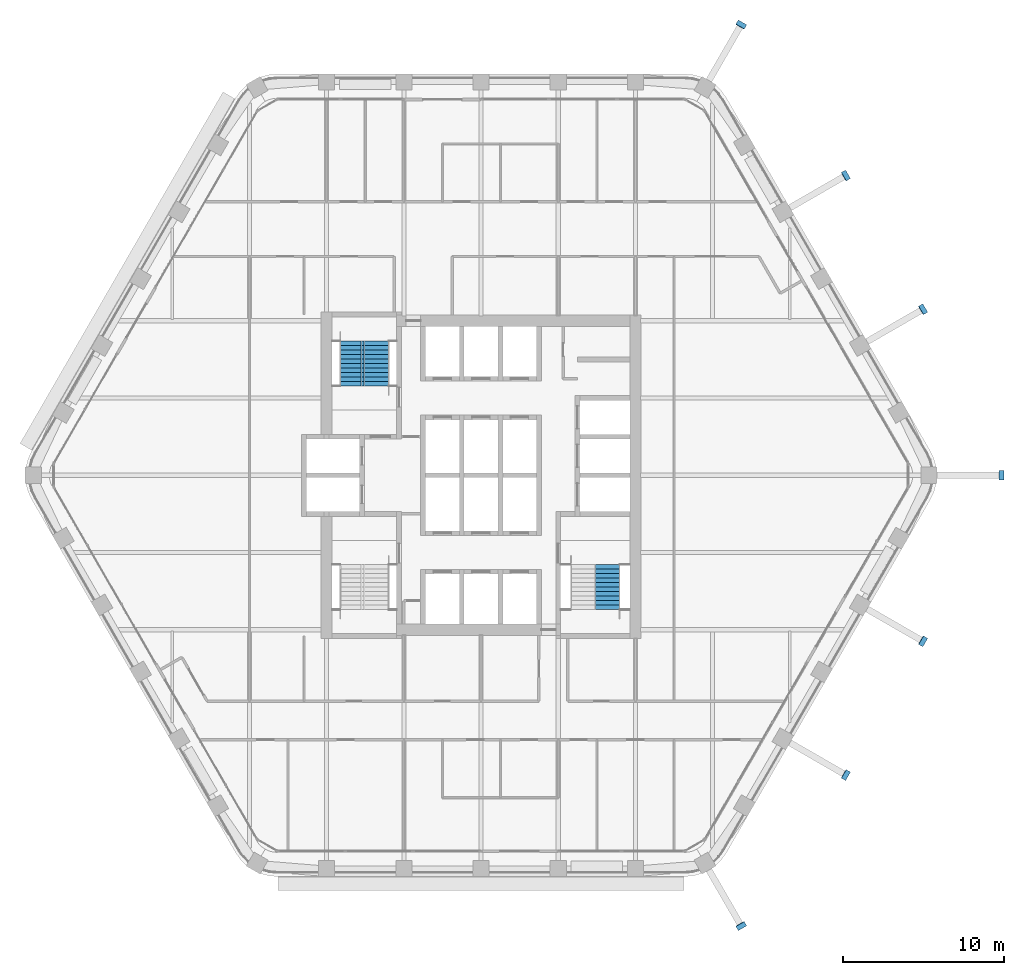
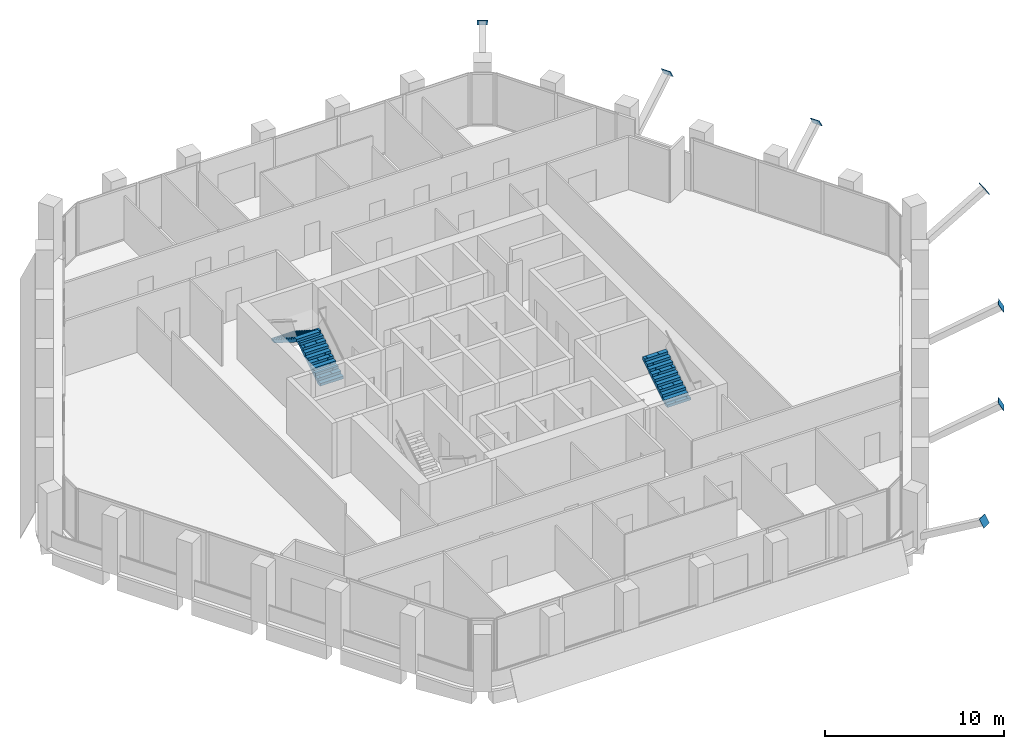
# One storey, part 14 of 16: 7 discrete accessories, 3 stair flights, 2 elements without a shape of their own.
"""IFC4 building model written with IfcOpenShell, lengths in metres."""

from ifc_helpers import new_model, si_unit, direction, frame, origin, origin_2d, place, context, subcontext, project, spatial, polyline, rectangle, outline, extrude, material, type_object, element, aggregate, save


model = new_model("IFC4")

# Units and contexts
model_context = context("Model", 3, precision=1e-05, world=origin(), true_north=direction((0.0, 1.0)))
body_context = subcontext(model_context, "Body", "Model", "MODEL_VIEW")
ifc_project = project(units=[si_unit("LENGTHUNIT", "METRE"), si_unit("AREAUNIT", "SQUARE_METRE"), si_unit("VOLUMEUNIT", "CUBIC_METRE"), si_unit("PLANEANGLEUNIT", "RADIAN"), si_unit("MASSUNIT", "GRAM", prefix="KILO")], contexts=[model_context])

# Site, building, storey
site_placement = place(None, origin())
site = spatial("IfcSite", under=ifc_project, at=site_placement, CompositionType="ELEMENT")
building_placement = place(site_placement, origin())
building = spatial("IfcBuilding", under=site, at=building_placement, Name="Kolab Exchange Tower", CompositionType="ELEMENT")
storey_placement = place(building_placement, frame((0.0, 0.0, 177.800048828125)))
storey = spatial("IfcBuildingStorey", under=building, at=storey_placement, Name="L37", CompositionType="ELEMENT", Elevation=177.800048828125)

# Stair, stair flights
ifc_material = material(Name="Concrete C50/60", Category="concrete")
stair_type_1 = type_object("IfcStairType", Name="STAIR ST1 RISER 177.3", PredefinedType="HALF_TURN_STAIR", material=ifc_material)
stair_1_placement = place(storey_placement, origin())
stair_1 = element("IfcStair", 1, at=stair_1_placement, inside=storey, type_object=stair_type_1, Name="Stair 1", PredefinedType="HALF_TURN_STAIR")
stair_flight_type = type_object("IfcStairFlightType", Name="STAIR FLIGHT 1500 RISER 177.3", PredefinedType="STRAIGHT", material=ifc_material)
stair_flight_1_placement = place(storey_placement, frame((-6.489990234375, 5.550048828125, 0.0), z_axis=(0.0, 0.0, 1.0), x_axis=(0.0, 1.0, 0.0)))
stair_flight_1 = element("IfcStairFlight", 2, at=stair_flight_1_placement, type_object=stair_flight_type, Name="ST1 flight 1", NumberOfRisers=11, NumberOfTreads=10, PredefinedType="STRAIGHT", RiserHeight=0.177272727, TreadLength=0.28, context=body_context, shape_type="SweptSolid", body=[
    extrude(outline(polyline([(0.0, 0.0), (0.0, 0.17724609375), (0.280029296875, 0.17724609375), (0.280029296875, 0.3544921875), (0.56005859375, 0.3544921875), (0.56005859375, 0.53173828125), (0.840087890625, 0.53173828125), (0.840087890625, 0.708984375), (1.1201171875, 0.708984375), (1.1201171875, 0.886474609375), (1.39990234375, 0.886474609375), (1.39990234375, 1.063720703125), (1.679931640625, 1.063720703125), (1.679931640625, 1.240966796875), (1.9599609375, 1.240966796875), (1.9599609375, 1.418212890625), (2.239990234375, 1.418212890625), (2.239990234375, 1.595458984375), (2.52001953125, 1.595458984375), (2.52001953125, 1.772705078125), (2.800048828125, 1.772705078125), (2.800048828125, 1.949951171875), (2.800048828125, 1.59521484375), (0.2802734375, 0.0), (0.0, 0.0)])), frame((0.0, 0.75, 0.0), z_axis=(0.0, -1.0, 0.0), x_axis=(1.0, 0.0, 0.0)), (0.0, 0.0, 1.0), 0.185791015625),
    extrude(outline(polyline([(0.0, 0.0), (0.0, 0.17724609375), (0.280029296875, 0.17724609375), (0.280029296875, 0.3544921875), (0.56005859375, 0.3544921875), (0.56005859375, 0.53173828125), (0.840087890625, 0.53173828125), (0.840087890625, 0.708984375), (1.1201171875, 0.708984375), (1.1201171875, 0.886474609375), (1.39990234375, 0.886474609375), (1.39990234375, 1.063720703125), (1.679931640625, 1.063720703125), (1.679931640625, 1.240966796875), (1.9599609375, 1.240966796875), (1.9599609375, 1.418212890625), (2.239990234375, 1.418212890625), (2.239990234375, 1.595458984375), (2.52001953125, 1.595458984375), (2.52001953125, 1.772705078125), (2.800048828125, 1.772705078125), (2.800048828125, 1.949951171875), (2.800048828125, 1.59521484375), (0.2802734375, 0.0), (0.0, 0.0)])), frame((0.0, 0.562255859375, 0.0), z_axis=(0.0, -1.0, 0.0), x_axis=(1.0, 0.0, 0.0)), (0.0, 0.0, 1.0), 0.185791015625),
    extrude(outline(polyline([(0.0, 0.0), (0.0, 0.17724609375), (0.280029296875, 0.17724609375), (0.280029296875, 0.3544921875), (0.56005859375, 0.3544921875), (0.56005859375, 0.53173828125), (0.840087890625, 0.53173828125), (0.840087890625, 0.708984375), (1.1201171875, 0.708984375), (1.1201171875, 0.886474609375), (1.39990234375, 0.886474609375), (1.39990234375, 1.063720703125), (1.679931640625, 1.063720703125), (1.679931640625, 1.240966796875), (1.9599609375, 1.240966796875), (1.9599609375, 1.418212890625), (2.239990234375, 1.418212890625), (2.239990234375, 1.595458984375), (2.52001953125, 1.595458984375), (2.52001953125, 1.772705078125), (2.800048828125, 1.772705078125), (2.800048828125, 1.949951171875), (2.800048828125, 1.59521484375), (0.2802734375, 0.0), (0.0, 0.0)])), frame((0.0, 0.37451171875, 0.0), z_axis=(0.0, -1.0, 0.0), x_axis=(1.0, 0.0, 0.0)), (0.0, 0.0, 1.0), 0.185791015625),
    extrude(outline(polyline([(0.0, 0.0), (0.0, 0.17724609375), (0.280029296875, 0.17724609375), (0.280029296875, 0.3544921875), (0.56005859375, 0.3544921875), (0.56005859375, 0.53173828125), (0.840087890625, 0.53173828125), (0.840087890625, 0.708984375), (1.1201171875, 0.708984375), (1.1201171875, 0.886474609375), (1.39990234375, 0.886474609375), (1.39990234375, 1.063720703125), (1.679931640625, 1.063720703125), (1.679931640625, 1.240966796875), (1.9599609375, 1.240966796875), (1.9599609375, 1.418212890625), (2.239990234375, 1.418212890625), (2.239990234375, 1.595458984375), (2.52001953125, 1.595458984375), (2.52001953125, 1.772705078125), (2.800048828125, 1.772705078125), (2.800048828125, 1.949951171875), (2.800048828125, 1.59521484375), (0.2802734375, 0.0), (0.0, 0.0)])), frame((0.0, 0.186767578125, 0.0), z_axis=(0.0, -1.0, 0.0), x_axis=(1.0, 0.0, 0.0)), (0.0, 0.0, 1.0), 0.185791015625),
    extrude(outline(polyline([(0.0, 0.0), (0.0, 0.17724609375), (0.280029296875, 0.17724609375), (0.280029296875, 0.3544921875), (0.56005859375, 0.3544921875), (0.56005859375, 0.53173828125), (0.840087890625, 0.53173828125), (0.840087890625, 0.708984375), (1.1201171875, 0.708984375), (1.1201171875, 0.886474609375), (1.39990234375, 0.886474609375), (1.39990234375, 1.063720703125), (1.679931640625, 1.063720703125), (1.679931640625, 1.240966796875), (1.9599609375, 1.240966796875), (1.9599609375, 1.418212890625), (2.239990234375, 1.418212890625), (2.239990234375, 1.595458984375), (2.52001953125, 1.595458984375), (2.52001953125, 1.772705078125), (2.800048828125, 1.772705078125), (2.800048828125, 1.949951171875), (2.800048828125, 1.59521484375), (0.2802734375, 0.0), (0.0, 0.0)])), frame((0.0, -0.0009765625, 0.0), z_axis=(0.0, -1.0, 0.0), x_axis=(1.0, 0.0, 0.0)), (0.0, 0.0, 1.0), 0.185791015625),
    extrude(outline(polyline([(0.0, 0.0), (0.0, 0.17724609375), (0.280029296875, 0.17724609375), (0.280029296875, 0.3544921875), (0.56005859375, 0.3544921875), (0.56005859375, 0.53173828125), (0.840087890625, 0.53173828125), (0.840087890625, 0.708984375), (1.1201171875, 0.708984375), (1.1201171875, 0.886474609375), (1.39990234375, 0.886474609375), (1.39990234375, 1.063720703125), (1.679931640625, 1.063720703125), (1.679931640625, 1.240966796875), (1.9599609375, 1.240966796875), (1.9599609375, 1.418212890625), (2.239990234375, 1.418212890625), (2.239990234375, 1.595458984375), (2.52001953125, 1.595458984375), (2.52001953125, 1.772705078125), (2.800048828125, 1.772705078125), (2.800048828125, 1.949951171875), (2.800048828125, 1.59521484375), (0.2802734375, 0.0), (0.0, 0.0)])), frame((0.0, -0.188720703125, 0.0), z_axis=(0.0, -1.0, 0.0), x_axis=(1.0, 0.0, 0.0)), (0.0, 0.0, 1.0), 0.185791015625),
    extrude(outline(polyline([(0.0, 0.0), (0.0, 0.17724609375), (0.280029296875, 0.17724609375), (0.280029296875, 0.3544921875), (0.56005859375, 0.3544921875), (0.56005859375, 0.53173828125), (0.840087890625, 0.53173828125), (0.840087890625, 0.708984375), (1.1201171875, 0.708984375), (1.1201171875, 0.886474609375), (1.39990234375, 0.886474609375), (1.39990234375, 1.063720703125), (1.679931640625, 1.063720703125), (1.679931640625, 1.240966796875), (1.9599609375, 1.240966796875), (1.9599609375, 1.418212890625), (2.239990234375, 1.418212890625), (2.239990234375, 1.595458984375), (2.52001953125, 1.595458984375), (2.52001953125, 1.772705078125), (2.800048828125, 1.772705078125), (2.800048828125, 1.949951171875), (2.800048828125, 1.59521484375), (0.2802734375, 0.0), (0.0, 0.0)])), frame((0.0, -0.37646484375, 0.0), z_axis=(0.0, -1.0, 0.0), x_axis=(1.0, 0.0, 0.0)), (0.0, 0.0, 1.0), 0.185791015625),
    extrude(outline(polyline([(0.0, 0.0), (0.0, 0.17724609375), (0.280029296875, 0.17724609375), (0.280029296875, 0.3544921875), (0.56005859375, 0.3544921875), (0.56005859375, 0.53173828125), (0.840087890625, 0.53173828125), (0.840087890625, 0.708984375), (1.1201171875, 0.708984375), (1.1201171875, 0.886474609375), (1.39990234375, 0.886474609375), (1.39990234375, 1.063720703125), (1.679931640625, 1.063720703125), (1.679931640625, 1.240966796875), (1.9599609375, 1.240966796875), (1.9599609375, 1.418212890625), (2.239990234375, 1.418212890625), (2.239990234375, 1.595458984375), (2.52001953125, 1.595458984375), (2.52001953125, 1.772705078125), (2.800048828125, 1.772705078125), (2.800048828125, 1.949951171875), (2.800048828125, 1.59521484375), (0.2802734375, 0.0), (0.0, 0.0)])), frame((0.0, -0.564208984375, 0.0), z_axis=(0.0, -1.0, 0.0), x_axis=(1.0, 0.0, 0.0)), (0.0, 0.0, 1.0), 0.185791015625),
])
stair_flight_2_placement = place(storey_placement, frame((-8.010009765625, 8.35009765625, 1.949951171875), z_axis=(0.0, 0.0, 1.0), x_axis=(0.0, -1.0, 0.0)))
stair_flight_2 = element("IfcStairFlight", 3, at=stair_flight_2_placement, type_object=stair_flight_type, Name="ST1 flight 2", NumberOfRisers=11, NumberOfTreads=10, PredefinedType="STRAIGHT", RiserHeight=0.177272727, TreadLength=0.28, context=body_context, shape_type="SweptSolid", body=[
    extrude(outline(polyline([(0.0, 0.0), (0.0, 0.17724609375), (0.280029296875, 0.17724609375), (0.280029296875, 0.3544921875), (0.56005859375, 0.3544921875), (0.56005859375, 0.53173828125), (0.840087890625, 0.53173828125), (0.840087890625, 0.708984375), (1.1201171875, 0.708984375), (1.1201171875, 0.886474609375), (1.39990234375, 0.886474609375), (1.39990234375, 1.063720703125), (1.679931640625, 1.063720703125), (1.679931640625, 1.240966796875), (1.9599609375, 1.240966796875), (1.9599609375, 1.418212890625), (2.239990234375, 1.418212890625), (2.239990234375, 1.595458984375), (2.52001953125, 1.595458984375), (2.52001953125, 1.772705078125), (2.800048828125, 1.772705078125), (2.800048828125, 1.949951171875), (2.800048828125, 1.59521484375), (0.2802734375, 0.0), (0.0, 0.0)])), frame((0.0, 0.75, 0.0), z_axis=(0.0, -1.0, 0.0), x_axis=(1.0, 0.0, 0.0)), (0.0, 0.0, 1.0), 0.185791015625),
    extrude(outline(polyline([(0.0, 0.0), (0.0, 0.17724609375), (0.280029296875, 0.17724609375), (0.280029296875, 0.3544921875), (0.56005859375, 0.3544921875), (0.56005859375, 0.53173828125), (0.840087890625, 0.53173828125), (0.840087890625, 0.708984375), (1.1201171875, 0.708984375), (1.1201171875, 0.886474609375), (1.39990234375, 0.886474609375), (1.39990234375, 1.063720703125), (1.679931640625, 1.063720703125), (1.679931640625, 1.240966796875), (1.9599609375, 1.240966796875), (1.9599609375, 1.418212890625), (2.239990234375, 1.418212890625), (2.239990234375, 1.595458984375), (2.52001953125, 1.595458984375), (2.52001953125, 1.772705078125), (2.800048828125, 1.772705078125), (2.800048828125, 1.949951171875), (2.800048828125, 1.59521484375), (0.2802734375, 0.0), (0.0, 0.0)])), frame((0.0, 0.562255859375, 0.0), z_axis=(0.0, -1.0, 0.0), x_axis=(1.0, 0.0, 0.0)), (0.0, 0.0, 1.0), 0.185791015625),
    extrude(outline(polyline([(0.0, 0.0), (0.0, 0.17724609375), (0.280029296875, 0.17724609375), (0.280029296875, 0.3544921875), (0.56005859375, 0.3544921875), (0.56005859375, 0.53173828125), (0.840087890625, 0.53173828125), (0.840087890625, 0.708984375), (1.1201171875, 0.708984375), (1.1201171875, 0.886474609375), (1.39990234375, 0.886474609375), (1.39990234375, 1.063720703125), (1.679931640625, 1.063720703125), (1.679931640625, 1.240966796875), (1.9599609375, 1.240966796875), (1.9599609375, 1.418212890625), (2.239990234375, 1.418212890625), (2.239990234375, 1.595458984375), (2.52001953125, 1.595458984375), (2.52001953125, 1.772705078125), (2.800048828125, 1.772705078125), (2.800048828125, 1.949951171875), (2.800048828125, 1.59521484375), (0.2802734375, 0.0), (0.0, 0.0)])), frame((0.0, 0.37451171875, 0.0), z_axis=(0.0, -1.0, 0.0), x_axis=(1.0, 0.0, 0.0)), (0.0, 0.0, 1.0), 0.185791015625),
    extrude(outline(polyline([(0.0, 0.0), (0.0, 0.17724609375), (0.280029296875, 0.17724609375), (0.280029296875, 0.3544921875), (0.56005859375, 0.3544921875), (0.56005859375, 0.53173828125), (0.840087890625, 0.53173828125), (0.840087890625, 0.708984375), (1.1201171875, 0.708984375), (1.1201171875, 0.886474609375), (1.39990234375, 0.886474609375), (1.39990234375, 1.063720703125), (1.679931640625, 1.063720703125), (1.679931640625, 1.240966796875), (1.9599609375, 1.240966796875), (1.9599609375, 1.418212890625), (2.239990234375, 1.418212890625), (2.239990234375, 1.595458984375), (2.52001953125, 1.595458984375), (2.52001953125, 1.772705078125), (2.800048828125, 1.772705078125), (2.800048828125, 1.949951171875), (2.800048828125, 1.59521484375), (0.2802734375, 0.0), (0.0, 0.0)])), frame((0.0, 0.186767578125, 0.0), z_axis=(0.0, -1.0, 0.0), x_axis=(1.0, 0.0, 0.0)), (0.0, 0.0, 1.0), 0.185791015625),
    extrude(outline(polyline([(0.0, 0.0), (0.0, 0.17724609375), (0.280029296875, 0.17724609375), (0.280029296875, 0.3544921875), (0.56005859375, 0.3544921875), (0.56005859375, 0.53173828125), (0.840087890625, 0.53173828125), (0.840087890625, 0.708984375), (1.1201171875, 0.708984375), (1.1201171875, 0.886474609375), (1.39990234375, 0.886474609375), (1.39990234375, 1.063720703125), (1.679931640625, 1.063720703125), (1.679931640625, 1.240966796875), (1.9599609375, 1.240966796875), (1.9599609375, 1.418212890625), (2.239990234375, 1.418212890625), (2.239990234375, 1.595458984375), (2.52001953125, 1.595458984375), (2.52001953125, 1.772705078125), (2.800048828125, 1.772705078125), (2.800048828125, 1.949951171875), (2.800048828125, 1.59521484375), (0.2802734375, 0.0), (0.0, 0.0)])), frame((0.0, -0.0009765625, 0.0), z_axis=(0.0, -1.0, 0.0), x_axis=(1.0, 0.0, 0.0)), (0.0, 0.0, 1.0), 0.185791015625),
    extrude(outline(polyline([(0.0, 0.0), (0.0, 0.17724609375), (0.280029296875, 0.17724609375), (0.280029296875, 0.3544921875), (0.56005859375, 0.3544921875), (0.56005859375, 0.53173828125), (0.840087890625, 0.53173828125), (0.840087890625, 0.708984375), (1.1201171875, 0.708984375), (1.1201171875, 0.886474609375), (1.39990234375, 0.886474609375), (1.39990234375, 1.063720703125), (1.679931640625, 1.063720703125), (1.679931640625, 1.240966796875), (1.9599609375, 1.240966796875), (1.9599609375, 1.418212890625), (2.239990234375, 1.418212890625), (2.239990234375, 1.595458984375), (2.52001953125, 1.595458984375), (2.52001953125, 1.772705078125), (2.800048828125, 1.772705078125), (2.800048828125, 1.949951171875), (2.800048828125, 1.59521484375), (0.2802734375, 0.0), (0.0, 0.0)])), frame((0.0, -0.188720703125, 0.0), z_axis=(0.0, -1.0, 0.0), x_axis=(1.0, 0.0, 0.0)), (0.0, 0.0, 1.0), 0.185791015625),
    extrude(outline(polyline([(0.0, 0.0), (0.0, 0.17724609375), (0.280029296875, 0.17724609375), (0.280029296875, 0.3544921875), (0.56005859375, 0.3544921875), (0.56005859375, 0.53173828125), (0.840087890625, 0.53173828125), (0.840087890625, 0.708984375), (1.1201171875, 0.708984375), (1.1201171875, 0.886474609375), (1.39990234375, 0.886474609375), (1.39990234375, 1.063720703125), (1.679931640625, 1.063720703125), (1.679931640625, 1.240966796875), (1.9599609375, 1.240966796875), (1.9599609375, 1.418212890625), (2.239990234375, 1.418212890625), (2.239990234375, 1.595458984375), (2.52001953125, 1.595458984375), (2.52001953125, 1.772705078125), (2.800048828125, 1.772705078125), (2.800048828125, 1.949951171875), (2.800048828125, 1.59521484375), (0.2802734375, 0.0), (0.0, 0.0)])), frame((0.0, -0.37646484375, 0.0), z_axis=(0.0, -1.0, 0.0), x_axis=(1.0, 0.0, 0.0)), (0.0, 0.0, 1.0), 0.185791015625),
    extrude(outline(polyline([(0.0, 0.0), (0.0, 0.17724609375), (0.280029296875, 0.17724609375), (0.280029296875, 0.3544921875), (0.56005859375, 0.3544921875), (0.56005859375, 0.53173828125), (0.840087890625, 0.53173828125), (0.840087890625, 0.708984375), (1.1201171875, 0.708984375), (1.1201171875, 0.886474609375), (1.39990234375, 0.886474609375), (1.39990234375, 1.063720703125), (1.679931640625, 1.063720703125), (1.679931640625, 1.240966796875), (1.9599609375, 1.240966796875), (1.9599609375, 1.418212890625), (2.239990234375, 1.418212890625), (2.239990234375, 1.595458984375), (2.52001953125, 1.595458984375), (2.52001953125, 1.772705078125), (2.800048828125, 1.772705078125), (2.800048828125, 1.949951171875), (2.800048828125, 1.59521484375), (0.2802734375, 0.0), (0.0, 0.0)])), frame((0.0, -0.564208984375, 0.0), z_axis=(0.0, -1.0, 0.0), x_axis=(1.0, 0.0, 0.0)), (0.0, 0.0, 1.0), 0.185791015625),
])
aggregate(stair_1, [stair_flight_1, stair_flight_2])

# Stair, stair flight
stair_type_2 = type_object("IfcStairType", Name="STAIR ST2 RISER 177.3", PredefinedType="HALF_TURN_STAIR", material=ifc_material)
stair_2_placement = place(storey_placement, origin())
stair_2 = element("IfcStair", 4, at=stair_2_placement, inside=storey, type_object=stair_type_2, Name="Stair 2", PredefinedType="HALF_TURN_STAIR")
stair_flight_3_placement = place(storey_placement, frame((7.860107421875, -8.35009765625, 1.949951171875), z_axis=(0.0, 0.0, 1.0), x_axis=(0.0, 1.0, 0.0)))
stair_flight_3 = element("IfcStairFlight", 5, at=stair_flight_3_placement, type_object=stair_flight_type, Name="ST2 flight 2", NumberOfRisers=11, NumberOfTreads=10, PredefinedType="STRAIGHT", RiserHeight=0.177272727, TreadLength=0.28, context=body_context, shape_type="SweptSolid", body=[
    extrude(outline(polyline([(0.0, 0.0), (0.0, 0.17724609375), (0.280029296875, 0.17724609375), (0.280029296875, 0.3544921875), (0.56005859375, 0.3544921875), (0.56005859375, 0.53173828125), (0.840087890625, 0.53173828125), (0.840087890625, 0.708984375), (1.1201171875, 0.708984375), (1.1201171875, 0.886474609375), (1.39990234375, 0.886474609375), (1.39990234375, 1.063720703125), (1.679931640625, 1.063720703125), (1.679931640625, 1.240966796875), (1.9599609375, 1.240966796875), (1.9599609375, 1.418212890625), (2.239990234375, 1.418212890625), (2.239990234375, 1.595458984375), (2.52001953125, 1.595458984375), (2.52001953125, 1.772705078125), (2.800048828125, 1.772705078125), (2.800048828125, 1.949951171875), (2.800048828125, 1.59521484375), (0.2802734375, 0.0), (0.0, 0.0)])), frame((0.0, 0.75, 0.0), z_axis=(0.0, -1.0, 0.0), x_axis=(1.0, 0.0, 0.0)), (0.0, 0.0, 1.0), 0.185791015625),
    extrude(outline(polyline([(0.0, 0.0), (0.0, 0.17724609375), (0.280029296875, 0.17724609375), (0.280029296875, 0.3544921875), (0.56005859375, 0.3544921875), (0.56005859375, 0.53173828125), (0.840087890625, 0.53173828125), (0.840087890625, 0.708984375), (1.1201171875, 0.708984375), (1.1201171875, 0.886474609375), (1.39990234375, 0.886474609375), (1.39990234375, 1.063720703125), (1.679931640625, 1.063720703125), (1.679931640625, 1.240966796875), (1.9599609375, 1.240966796875), (1.9599609375, 1.418212890625), (2.239990234375, 1.418212890625), (2.239990234375, 1.595458984375), (2.52001953125, 1.595458984375), (2.52001953125, 1.772705078125), (2.800048828125, 1.772705078125), (2.800048828125, 1.949951171875), (2.800048828125, 1.59521484375), (0.2802734375, 0.0), (0.0, 0.0)])), frame((0.0, 0.562255859375, 0.0), z_axis=(0.0, -1.0, 0.0), x_axis=(1.0, 0.0, 0.0)), (0.0, 0.0, 1.0), 0.185791015625),
    extrude(outline(polyline([(0.0, 0.0), (0.0, 0.17724609375), (0.280029296875, 0.17724609375), (0.280029296875, 0.3544921875), (0.56005859375, 0.3544921875), (0.56005859375, 0.53173828125), (0.840087890625, 0.53173828125), (0.840087890625, 0.708984375), (1.1201171875, 0.708984375), (1.1201171875, 0.886474609375), (1.39990234375, 0.886474609375), (1.39990234375, 1.063720703125), (1.679931640625, 1.063720703125), (1.679931640625, 1.240966796875), (1.9599609375, 1.240966796875), (1.9599609375, 1.418212890625), (2.239990234375, 1.418212890625), (2.239990234375, 1.595458984375), (2.52001953125, 1.595458984375), (2.52001953125, 1.772705078125), (2.800048828125, 1.772705078125), (2.800048828125, 1.949951171875), (2.800048828125, 1.59521484375), (0.2802734375, 0.0), (0.0, 0.0)])), frame((0.0, 0.37451171875, 0.0), z_axis=(0.0, -1.0, 0.0), x_axis=(1.0, 0.0, 0.0)), (0.0, 0.0, 1.0), 0.185791015625),
    extrude(outline(polyline([(0.0, 0.0), (0.0, 0.17724609375), (0.280029296875, 0.17724609375), (0.280029296875, 0.3544921875), (0.56005859375, 0.3544921875), (0.56005859375, 0.53173828125), (0.840087890625, 0.53173828125), (0.840087890625, 0.708984375), (1.1201171875, 0.708984375), (1.1201171875, 0.886474609375), (1.39990234375, 0.886474609375), (1.39990234375, 1.063720703125), (1.679931640625, 1.063720703125), (1.679931640625, 1.240966796875), (1.9599609375, 1.240966796875), (1.9599609375, 1.418212890625), (2.239990234375, 1.418212890625), (2.239990234375, 1.595458984375), (2.52001953125, 1.595458984375), (2.52001953125, 1.772705078125), (2.800048828125, 1.772705078125), (2.800048828125, 1.949951171875), (2.800048828125, 1.59521484375), (0.2802734375, 0.0), (0.0, 0.0)])), frame((0.0, 0.186767578125, 0.0), z_axis=(0.0, -1.0, 0.0), x_axis=(1.0, 0.0, 0.0)), (0.0, 0.0, 1.0), 0.185791015625),
    extrude(outline(polyline([(0.0, 0.0), (0.0, 0.17724609375), (0.280029296875, 0.17724609375), (0.280029296875, 0.3544921875), (0.56005859375, 0.3544921875), (0.56005859375, 0.53173828125), (0.840087890625, 0.53173828125), (0.840087890625, 0.708984375), (1.1201171875, 0.708984375), (1.1201171875, 0.886474609375), (1.39990234375, 0.886474609375), (1.39990234375, 1.063720703125), (1.679931640625, 1.063720703125), (1.679931640625, 1.240966796875), (1.9599609375, 1.240966796875), (1.9599609375, 1.418212890625), (2.239990234375, 1.418212890625), (2.239990234375, 1.595458984375), (2.52001953125, 1.595458984375), (2.52001953125, 1.772705078125), (2.800048828125, 1.772705078125), (2.800048828125, 1.949951171875), (2.800048828125, 1.59521484375), (0.2802734375, 0.0), (0.0, 0.0)])), frame((0.0, -0.0009765625, 0.0), z_axis=(0.0, -1.0, 0.0), x_axis=(1.0, 0.0, 0.0)), (0.0, 0.0, 1.0), 0.185791015625),
    extrude(outline(polyline([(0.0, 0.0), (0.0, 0.17724609375), (0.280029296875, 0.17724609375), (0.280029296875, 0.3544921875), (0.56005859375, 0.3544921875), (0.56005859375, 0.53173828125), (0.840087890625, 0.53173828125), (0.840087890625, 0.708984375), (1.1201171875, 0.708984375), (1.1201171875, 0.886474609375), (1.39990234375, 0.886474609375), (1.39990234375, 1.063720703125), (1.679931640625, 1.063720703125), (1.679931640625, 1.240966796875), (1.9599609375, 1.240966796875), (1.9599609375, 1.418212890625), (2.239990234375, 1.418212890625), (2.239990234375, 1.595458984375), (2.52001953125, 1.595458984375), (2.52001953125, 1.772705078125), (2.800048828125, 1.772705078125), (2.800048828125, 1.949951171875), (2.800048828125, 1.59521484375), (0.2802734375, 0.0), (0.0, 0.0)])), frame((0.0, -0.188720703125, 0.0), z_axis=(0.0, -1.0, 0.0), x_axis=(1.0, 0.0, 0.0)), (0.0, 0.0, 1.0), 0.185791015625),
    extrude(outline(polyline([(0.0, 0.0), (0.0, 0.17724609375), (0.280029296875, 0.17724609375), (0.280029296875, 0.3544921875), (0.56005859375, 0.3544921875), (0.56005859375, 0.53173828125), (0.840087890625, 0.53173828125), (0.840087890625, 0.708984375), (1.1201171875, 0.708984375), (1.1201171875, 0.886474609375), (1.39990234375, 0.886474609375), (1.39990234375, 1.063720703125), (1.679931640625, 1.063720703125), (1.679931640625, 1.240966796875), (1.9599609375, 1.240966796875), (1.9599609375, 1.418212890625), (2.239990234375, 1.418212890625), (2.239990234375, 1.595458984375), (2.52001953125, 1.595458984375), (2.52001953125, 1.772705078125), (2.800048828125, 1.772705078125), (2.800048828125, 1.949951171875), (2.800048828125, 1.59521484375), (0.2802734375, 0.0), (0.0, 0.0)])), frame((0.0, -0.37646484375, 0.0), z_axis=(0.0, -1.0, 0.0), x_axis=(1.0, 0.0, 0.0)), (0.0, 0.0, 1.0), 0.185791015625),
    extrude(outline(polyline([(0.0, 0.0), (0.0, 0.17724609375), (0.280029296875, 0.17724609375), (0.280029296875, 0.3544921875), (0.56005859375, 0.3544921875), (0.56005859375, 0.53173828125), (0.840087890625, 0.53173828125), (0.840087890625, 0.708984375), (1.1201171875, 0.708984375), (1.1201171875, 0.886474609375), (1.39990234375, 0.886474609375), (1.39990234375, 1.063720703125), (1.679931640625, 1.063720703125), (1.679931640625, 1.240966796875), (1.9599609375, 1.240966796875), (1.9599609375, 1.418212890625), (2.239990234375, 1.418212890625), (2.239990234375, 1.595458984375), (2.52001953125, 1.595458984375), (2.52001953125, 1.772705078125), (2.800048828125, 1.772705078125), (2.800048828125, 1.949951171875), (2.800048828125, 1.59521484375), (0.2802734375, 0.0), (0.0, 0.0)])), frame((0.0, -0.564208984375, 0.0), z_axis=(0.0, -1.0, 0.0), x_axis=(1.0, 0.0, 0.0)), (0.0, 0.0, 1.0), 0.185791015625),
])
aggregate(stair_2, [stair_flight_3])

# Discrete accessories
for number, where, z_axis, x_axis, name in (
    (6, (16.16796875, 28.003662109375, 2.968017578125), (0.430092937663, 0.75266264091, 0.49851681411), (-0.868243142124, 0.496138938357, 0.0), "Gusset plate"),
    (7, (22.6640625, 18.627685546875, 2.968017578125), (0.75266264091, 0.430092937663, 0.49851681411), (-0.496138938357, 0.868243142124, 0.0), "Gusset plate"),
):
    element("IfcDiscreteAccessory", number, at=place(storey_placement, frame(where, z_axis=z_axis, x_axis=x_axis)), inside=storey, Name=name, ObjectType="GUSSET PLATE", PredefinedType="USERDEFINED", context=body_context, shape_type="SweptSolid", body=[
        extrude(rectangle(XDim=0.60009765625, YDim=0.60009765625, at=origin_2d()), origin(), (0.0, 0.0, 1.0), 0.02490234375),
    ])
discrete_accessory_1_placement = place(storey_placement, frame((27.464111328125, 10.313720703125, 2.968017578125), z_axis=(0.749482689112, 0.438009363767, 0.496410612269), x_axis=(-0.504568019295, 0.863371944127, 0.0)))
element("IfcDiscreteAccessory", 8, at=discrete_accessory_1_placement, inside=storey, Name="Gusset plate", ObjectType="GUSSET PLATE", PredefinedType="USERDEFINED", context=body_context, shape_type="SweptSolid", body=[
    extrude(rectangle(XDim=0.60009765625, YDim=0.60009765625, at=origin_2d()), origin(), (0.0, 0.0, 1.0), 0.025146484375),
])
discrete_accessory_2_placement = place(storey_placement, frame((32.3359375, 0.0, 2.968017578125), z_axis=(0.865201820635, 0.0, 0.501423782413), x_axis=(0.0, 1.0, 0.0)))
element("IfcDiscreteAccessory", 9, at=discrete_accessory_2_placement, inside=storey, Name="Gusset plate", ObjectType="GUSSET PLATE", PredefinedType="USERDEFINED", context=body_context, shape_type="SweptSolid", body=[
    extrude(rectangle(XDim=0.60009765625, YDim=0.60009765625, at=origin_2d()), origin(), (0.0, 0.0, 1.0), 0.02490234375),
])
discrete_accessory_3_placement = place(storey_placement, frame((27.464111328125, -10.313720703125, 2.968017578125), z_axis=(0.749482689112, -0.438009363767, 0.496410612269), x_axis=(0.504568019295, 0.863371944127, 0.0)))
element("IfcDiscreteAccessory", 10, at=discrete_accessory_3_placement, inside=storey, Name="Gusset plate", ObjectType="GUSSET PLATE", PredefinedType="USERDEFINED", context=body_context, shape_type="SweptSolid", body=[
    extrude(rectangle(XDim=0.60009765625, YDim=0.60009765625, at=origin_2d()), origin(), (0.0, 0.0, 1.0), 0.025146484375),
])
for number, where, z_axis, x_axis, name in (
    (11, (22.6640625, -18.627685546875, 2.968017578125), (0.75266264091, -0.430092937663, 0.49851681411), (0.496138938357, 0.868243142124, 0.0), "Gusset plate"),
    (12, (16.16796875, -28.003662109375, 2.968017578125), (0.430092937663, -0.75266264091, 0.49851681411), (0.868243142124, 0.496138938357, 0.0), "Gusset plate"),
):
    element("IfcDiscreteAccessory", number, at=place(storey_placement, frame(where, z_axis=z_axis, x_axis=x_axis)), inside=storey, Name=name, ObjectType="GUSSET PLATE", PredefinedType="USERDEFINED", context=body_context, shape_type="SweptSolid", body=[
        extrude(rectangle(XDim=0.60009765625, YDim=0.60009765625, at=origin_2d()), origin(), (0.0, 0.0, 1.0), 0.02490234375),
    ])

save(model, "model.ifc")
